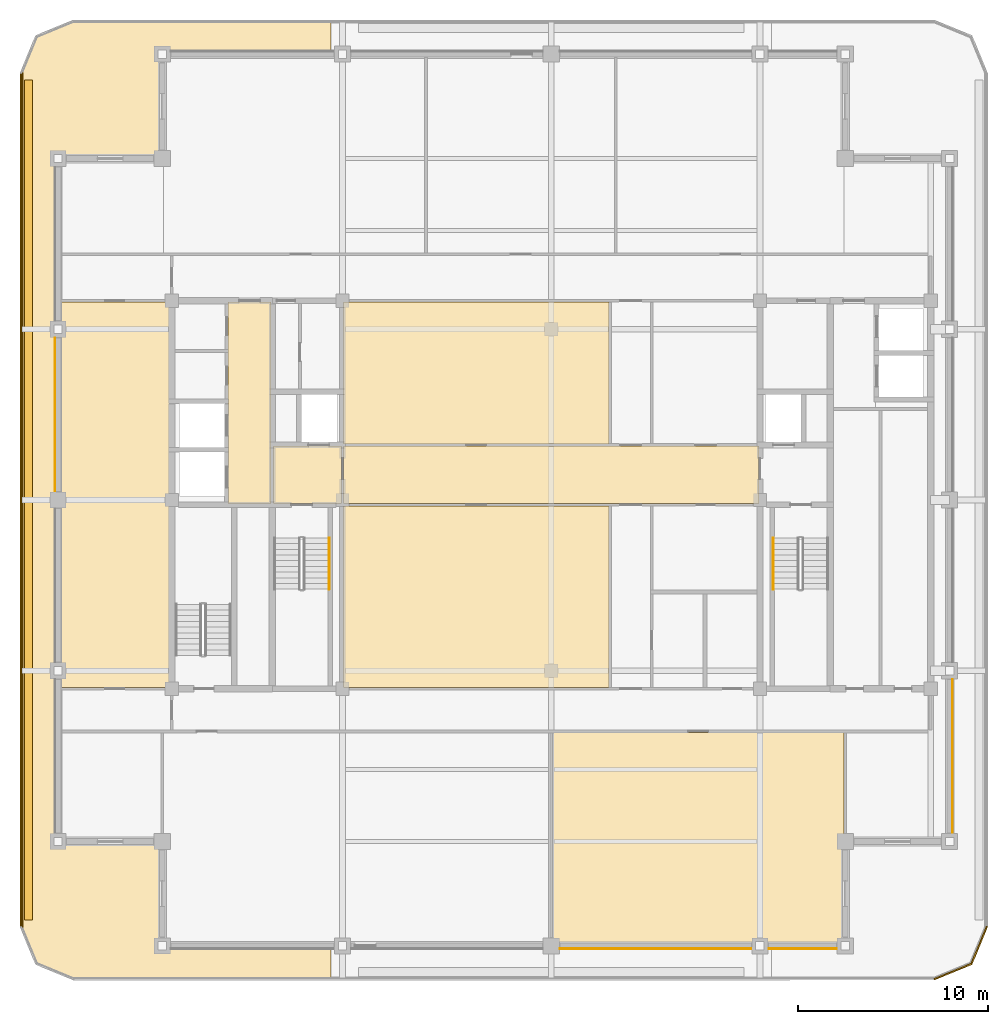
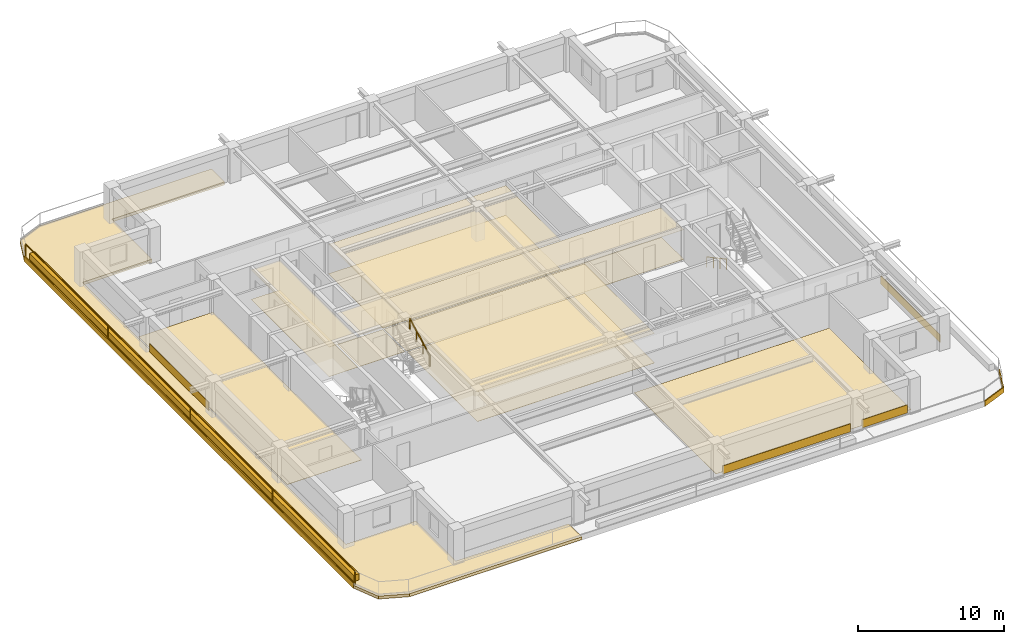
# One storey, part 8 of 10: 21 coverings, 3 railings.
"""IFC4 building model written with IfcOpenShell, lengths in metres."""

import ifcopenshell
import ifcopenshell.guid

model = None  # the IFC model being written
_history = None  # IfcOwnerHistory: only IFC2X3 demands one
_inside = {}  # id of a spatial element -> (the spatial element, [elements in it])
_under = {}  # id of a project, library or spatial element -> (it, [spatial elements below it])
_declared = {}  # id of a project -> (the project, [libraries it declares])
_typed = {}  # id of a type object -> (the type object, [elements of that type])
_made_of = {}  # id of a material, layer set ... -> (it, [elements and type objects made of it])


def new_model(schema):
    """Start an empty IFC model of exactly this schema.

    Asked for "IFC4X3", IfcOpenShell would pick the latest addendum, in which some entities
    have other attributes; the version numbers below select the first issue.
    IFC2X3 requires an IfcOwnerHistory on every rooted entity: one is made here for all.
    """
    global model, _history
    if schema == "IFC4X3":
        model = ifcopenshell.file(schema_version=(4, 3, 0, 0))
    else:
        model = ifcopenshell.file(schema=schema)
    _inside.clear()
    _under.clear()
    _declared.clear()
    _typed.clear()
    _made_of.clear()
    _history = None
    if model.schema == "IFC2X3":
        org = make("IfcOrganization", Name="unknown")
        user = make(
            "IfcPersonAndOrganization",
            ThePerson=make("IfcPerson", FamilyName="unknown"),
            TheOrganization=org,
        )
        app = make(
            "IfcApplication",
            ApplicationDeveloper=org,
            Version="unknown",
            ApplicationFullName="unknown",
            ApplicationIdentifier="unknown",
        )
        _history = make(
            "IfcOwnerHistory",
            OwningUser=user,
            OwningApplication=app,
            ChangeAction="ADDED",
            CreationDate=0,
        )
    return model


def make(cls, **values):
    """One entity of the class cls with the attributes given. An attribute that is None is left unset."""
    return model.create_entity(
        cls, **{name: value for name, value in values.items() if value is not None}
    )


def rooted(cls, **values):
    """An entity with a GlobalId (a new one), such as an element, a storey or a relation."""
    return make(cls, GlobalId=ifcopenshell.guid.new(), OwnerHistory=_history, **values)


def si_unit(unit_type, name, prefix=None):
    """IfcSIUnit, for example si_unit("LENGTHUNIT", "METRE", prefix="MILLI")."""
    return make("IfcSIUnit", UnitType=unit_type, Prefix=prefix, Name=name)


def assignment(units):
    """IfcUnitAssignment: the units of a project."""
    return None if units is None else make("IfcUnitAssignment", Units=units)


def point(xyz):
    """IfcCartesianPoint."""
    return None if xyz is None else make("IfcCartesianPoint", Coordinates=xyz)


def direction(xyz):
    """IfcDirection."""
    return None if xyz is None else make("IfcDirection", DirectionRatios=xyz)


def frame(location, z_axis=None, x_axis=None):
    """IfcAxis2Placement3D, a coordinate frame: its origin and axes. An axis left out is left unset."""
    return make(
        "IfcAxis2Placement3D",
        Location=point(location),
        Axis=direction(z_axis),
        RefDirection=direction(x_axis),
    )


def frame_2d(location, x_axis=None):
    """IfcAxis2Placement2D, a coordinate frame in the plane: its origin and x axis."""
    return make(
        "IfcAxis2Placement2D", Location=point(location), RefDirection=direction(x_axis)
    )


def origin():
    """The frame at (0, 0, 0) with its axes left unset."""
    return frame((0.0, 0.0, 0.0))


def origin_2d():
    """The frame at (0, 0) in the plane with its x axis left unset."""
    return frame_2d((0.0, 0.0))


def place(relative_to, where):
    """IfcLocalPlacement: puts the frame where relative to a parent placement (None: the world)."""
    return make(
        "IfcLocalPlacement", PlacementRelTo=relative_to, RelativePlacement=where
    )


def context(
    kind, dimensions, precision=None, world=None, true_north=None, identifier=None
):
    """IfcGeometricRepresentationContext, for example the 3D "Model" context."""
    return make(
        "IfcGeometricRepresentationContext",
        ContextIdentifier=identifier,
        ContextType=kind,
        CoordinateSpaceDimension=dimensions,
        Precision=precision,
        WorldCoordinateSystem=world,
        TrueNorth=true_north,
    )


def subcontext(parent, identifier, kind, view, scale=None):
    """IfcGeometricRepresentationSubContext, for example "Body" below "Model"."""
    return make(
        "IfcGeometricRepresentationSubContext",
        ContextIdentifier=identifier,
        ContextType=kind,
        ParentContext=parent,
        TargetScale=scale,
        TargetView=view,
    )


def project(units=None, contexts=None):
    """IfcProject with its units and contexts."""
    return rooted(
        "IfcProject",
        Name="project",
        RepresentationContexts=contexts,
        UnitsInContext=assignment(units),
    )


def spatial(cls, under=None, at=None, **own):
    """A site, building, storey or space (cls), placed at a placement, below another one or the project."""
    s = rooted(cls, ObjectPlacement=at, **own)
    if under is not None:
        _under.setdefault(under.id(), (under, []))[1].append(s)
    return s


def polyline(points):
    """IfcPolyline through the points."""
    return make("IfcPolyline", Points=[point(p) for p in points])


def profile(cls, at=None, kind="AREA", **sizes):
    """A parametric profile (cls). Its sizes go by their IFC names, for example OverallWidth=200.0."""
    return make(cls, ProfileType=kind, Position=at, **sizes)


def rectangle(**sizes):
    """IfcRectangleProfileDef."""
    return profile("IfcRectangleProfileDef", **sizes)


def outline(outer, holes=None, kind="AREA"):
    """IfcArbitraryClosedProfileDef: a profile drawn as a closed curve; with holes, ...WithVoids."""
    if holes is None:
        return make("IfcArbitraryClosedProfileDef", ProfileType=kind, OuterCurve=outer)
    return make(
        "IfcArbitraryProfileDefWithVoids",
        ProfileType=kind,
        OuterCurve=outer,
        InnerCurves=holes,
    )


def extrude(swept, where, along, depth):
    """IfcExtrudedAreaSolid: the profile swept, set in the frame where, extruded along a direction by depth."""
    return make(
        "IfcExtrudedAreaSolid",
        SweptArea=swept,
        Position=where,
        ExtrudedDirection=direction(along),
        Depth=depth,
    )


def shape(context_of_items, identifier, shape_type, items):
    """IfcShapeRepresentation: the items that make up one representation, for example the "Body"."""
    return make(
        "IfcShapeRepresentation",
        ContextOfItems=context_of_items,
        RepresentationIdentifier=identifier,
        RepresentationType=shape_type,
        Items=items,
    )


def material(Name=None, Category=None):
    """IfcMaterial."""
    return make("IfcMaterial", Name=Name, Category=Category)


def layer(
    of_material, thickness, ventilated=None, Name=None, Category=None, Priority=None
):
    """IfcMaterialLayer: one layer of a wall or slab, of a material (None: an air gap)."""
    return make(
        "IfcMaterialLayer",
        Material=of_material,
        LayerThickness=thickness,
        IsVentilated=ventilated,
        Name=Name,
        Category=Category,
        Priority=Priority,
    )


def layer_set(layers, Name=None):
    """IfcMaterialLayerSet."""
    return make("IfcMaterialLayerSet", MaterialLayers=layers, LayerSetName=Name)


def made_of(thing, what):
    """Note that an element or type object is made of a material, layer set ...; save() writes the relation."""
    if what is not None:
        _made_of.setdefault(what.id(), (what, []))[1].append(thing)
    return thing


def type_object(cls, material=None, **own):
    """A type object (cls), such as IfcWallType, which elements share."""
    return made_of(rooted(cls, **own), material)


def element(
    cls,
    number,
    at=None,
    inside=None,
    cuts=None,
    type_object=None,
    material=None,
    context=None,
    identifier="Body",
    shape_type=None,
    held_by="IfcProductDefinitionShape",
    body=None,
    shapes=None,
    **own,
):
    """One element of the class cls, such as IfcWall. Its Tag is "e" and its number.

    at: its placement. inside: the storey or other place that contains it. cuts: it is an
    opening in that element (IfcRelVoidsElement). A single representation is given by context,
    identifier, shape_type and body (its items); several are given by shapes. held_by: the class
    of the entity that holds the representations. save() writes the other relations.
    """
    e = rooted(cls, Tag="e%d" % number, ObjectPlacement=at, **own)
    if body is not None:
        shapes = [shape(context, identifier, shape_type, body)]
    if shapes is not None:
        e.Representation = make(held_by, Representations=shapes)
    if inside is not None:
        _inside.setdefault(inside.id(), (inside, []))[1].append(e)
    if cuts is not None:
        rooted(
            "IfcRelVoidsElement", RelatingBuildingElement=cuts, RelatedOpeningElement=e
        )
    if type_object is not None:
        _typed.setdefault(type_object.id(), (type_object, []))[1].append(e)
    return made_of(e, material)


def aggregate(whole, parts):
    """IfcRelAggregates: a whole, such as a stair, and the parts it consists of."""
    return rooted("IfcRelAggregates", RelatingObject=whole, RelatedObjects=parts)


def save(model, path):
    """Write the relations noted so far, then the file.

    IfcRelAggregates (storeys below a building ...), IfcRelContainedInSpatialStructure (elements
    in a storey), IfcRelDefinesByType, IfcRelAssociatesMaterial and IfcRelDeclares: one each for
    every whole, place, type object, material and project.
    """
    for whole, parts in _under.values():
        aggregate(whole, parts)
    for where, things in _inside.values():
        rooted(
            "IfcRelContainedInSpatialStructure",
            RelatedElements=things,
            RelatingStructure=where,
        )
    for kind, things in _typed.values():
        rooted("IfcRelDefinesByType", RelatedObjects=things, RelatingType=kind)
    for what, things in _made_of.values():
        rooted("IfcRelAssociatesMaterial", RelatedObjects=things, RelatingMaterial=what)
    for by, libraries in _declared.values():
        rooted("IfcRelDeclares", RelatingContext=by, RelatedDefinitions=libraries)
    model.write(path)


model = new_model("IFC4")

# Units and contexts
model_context = context("Model", 3, precision=1e-05, world=origin(), true_north=direction((0.0, 1.0)))
body_context = subcontext(model_context, "Body", "Model", "MODEL_VIEW")
ifc_project = project(units=[si_unit("LENGTHUNIT", "METRE"), si_unit("AREAUNIT", "SQUARE_METRE"), si_unit("VOLUMEUNIT", "CUBIC_METRE"), si_unit("PLANEANGLEUNIT", "RADIAN"), si_unit("MASSUNIT", "GRAM", prefix="KILO")], contexts=[model_context])

# Site, building, storey
site_placement = place(None, origin())
site = spatial("IfcSite", under=ifc_project, at=site_placement, CompositionType="ELEMENT")
building_placement = place(site_placement, origin())
building = spatial("IfcBuilding", under=site, at=building_placement, Name="Zulmaris Gate Convention Tower", CompositionType="ELEMENT")
storey_placement = place(building_placement, frame((0.0, 0.0, 267.35009765625)))
storey = spatial("IfcBuildingStorey", under=building, at=storey_placement, Name="L71", CompositionType="ELEMENT", Elevation=267.35009765625)

# Coverings
ifc_material_1 = material(Name="Precast concrete C40/50", Category="concrete")
ifc_layer_1 = layer(ifc_material_1, 0.0400390625, Name="Precast concrete C40/50")
ifc_layer_set_1 = layer_set([ifc_layer_1], Name="Precast concrete C40/50")
covering_type_1 = type_object("IfcCoveringType", Name="CLAD-SPANDREL-PRECAST", PredefinedType="CLADDING", material=ifc_layer_set_1)
covering_1_placement = place(storey_placement, frame((0.455078125, -23.64990234375, 0.0), z_axis=(0.0, 0.0, 1.0), x_axis=(1.0, 0.0, 0.0)))
element("IfcCovering", 1, at=covering_1_placement, inside=storey, type_object=covering_type_1, Name="CLD-L71-S-2_0", PredefinedType="CLADDING", context=body_context, shape_type="SweptSolid", body=[
    extrude(rectangle(XDim=10.08984375, YDim=0.0400390625, at=frame_2d((5.044921875, 0.0))), origin(), (0.0, 0.0, 1.0), 0.679931640625),
])
covering_2_placement = place(storey_placement, frame((11.455078125, -23.64990234375, 0.0), z_axis=(0.0, 0.0, 1.0), x_axis=(1.0, 0.0, 0.0)))
element("IfcCovering", 2, at=covering_2_placement, inside=storey, type_object=covering_type_1, Name="CLD-L71-S-3_0", PredefinedType="CLADDING", context=body_context, shape_type="SweptSolid", body=[
    extrude(rectangle(XDim=3.58984375, YDim=0.0400390625, at=frame_2d((1.794921875, 0.0))), origin(), (0.0, 0.0, 1.0), 0.679931640625),
])
for number, where, z_axis, x_axis, name in (
    (3, (21.14990234375, -17.544921875, 0.0), (0.0, 0.0, 1.0), (0.0, 1.0, 0.0), "CLD-L71-E-0_0"),
    (4, (-26.14990234375, 8.544921875, 0.0), (0.0, 0.0, 1.0), (0.0, -1.0, 0.0), "CLD-L71-W-2_0"),
):
    element("IfcCovering", number, at=place(storey_placement, frame(where, z_axis=z_axis, x_axis=x_axis)), inside=storey, type_object=covering_type_1, Name=name, PredefinedType="CLADDING", context=body_context, shape_type="SweptSolid", body=[
        extrude(rectangle(XDim=8.08984375, YDim=0.0400390625, at=frame_2d((4.044921875, 0.0))), origin(), (0.0, 0.0, 1.0), 0.679931640625),
    ])
ifc_material_2 = material(Name="White Glazed Architectural Precast Concrete C40/50", Category="concrete")
ifc_layer_2 = layer(ifc_material_2, 0.239990234375, Name="White Glazed Architectural Precast Concrete C40/50")
ifc_layer_set_2 = layer_set([ifc_layer_2], Name="White Glazed Architectural Precast Concrete C40/50")
covering_type_2 = type_object("IfcCoveringType", Name="CLAD-TRAY-DECK", PredefinedType="CLADDING", material=ifc_layer_set_2)
covering_3_placement = place(storey_placement, frame((0.0, 0.0, -0.25)))
element("IfcCovering", 5, at=covering_3_placement, inside=storey, type_object=covering_type_2, Name="L71 West Rounded-Fascia Planter Tray Deck", PredefinedType="CLADDING", context=body_context, shape_type="SweptSolid", body=[
    extrude(outline(polyline([(-28.0, 22.5), (-27.179931640625, 24.47998046875), (-25.199951171875, 25.300048828125), (-11.60205078125, 25.300048828125), (-11.60205078125, 23.5), (-20.5, 23.5), (-20.5, 18.0), (-26.0, 18.0), (-26.0, -18.0), (-20.5, -18.0), (-20.5, -23.5), (-11.60205078125, -23.5), (-11.60205078125, -25.300048828125), (-25.199951171875, -25.300048828125), (-27.179931640625, -24.47998046875), (-28.0, -22.5), (-28.0, 22.5)])), origin(), (0.0, 0.0, 1.0), 0.239990234375),
])
ifc_layer_3 = layer(ifc_material_2, 0.080078125, Name="White Glazed Architectural Precast Concrete C40/50")
ifc_layer_set_3 = layer_set([ifc_layer_3], Name="White Glazed Architectural Precast Concrete C40/50")
covering_type_3 = type_object("IfcCoveringType", Name="CLAD-TRAY-FASCIA", PredefinedType="CLADDING", material=ifc_layer_set_3)
covering_4_placement = place(storey_placement, frame((20.184814453125, -25.262939453125, -0.2900390625), z_axis=(0.0, 0.0, 1.0), x_axis=(0.923873803533, 0.382697263049, 0.0)))
element("IfcCovering", 6, at=covering_4_placement, inside=storey, type_object=covering_type_3, Name="FSC-L71-TR-03", PredefinedType="CLADDING", context=body_context, shape_type="SweptSolid", body=[
    extrude(rectangle(XDim=2.142822265625, YDim=0.080078125, at=frame_2d((1.0712890625, 0.0))), origin(), (0.0, 0.0, 1.0), 0.43994140625),
])
covering_5_placement = place(storey_placement, frame((22.142822265625, -24.464599609375, -0.2900390625), z_axis=(0.0, 0.0, 1.0), x_axis=(0.382656984709, 0.923890487046, 0.0)))
element("IfcCovering", 7, at=covering_5_placement, inside=storey, type_object=covering_type_3, Name="FSC-L71-TR-04", PredefinedType="CLADDING", context=body_context, shape_type="SweptSolid", body=[
    extrude(rectangle(XDim=2.14306640625, YDim=0.080078125, at=frame_2d((1.071533203125, 0.0))), origin(), (0.0, 0.0, 1.0), 0.43994140625),
])
covering_6_placement = place(storey_placement, frame((-27.9599609375, 22.5, -0.2900390625), z_axis=(0.0, 0.0, 1.0), x_axis=(0.0, -1.0, 0.0)))
element("IfcCovering", 8, at=covering_6_placement, inside=storey, type_object=covering_type_3, Name="FSC-L71-TR-11", PredefinedType="CLADDING", context=body_context, shape_type="SweptSolid", body=[
    extrude(rectangle(XDim=45.0, YDim=0.080078125, at=frame_2d((22.5, 0.0))), origin(), (0.0, 0.0, 1.0), 0.43994140625),
])
ifc_material_3 = material(Name="Mineral Fibre Acoustic Ceiling Tile")
ifc_layer_4 = layer(ifc_material_3, 0.02001953125, Name="Mineral Fibre Acoustic Ceiling Tile")
ifc_layer_set_4 = layer_set([ifc_layer_4], Name="Mineral Fibre Acoustic Ceiling Tile")
covering_type_4 = type_object("IfcCoveringType", Name="CLG-ACOUSTIC-600", PredefinedType="CEILING", material=ifc_layer_set_4)
covering_7_placement = place(storey_placement, frame((0.0, 0.0, 2.625)))
element("IfcCovering", 9, at=covering_7_placement, inside=storey, type_object=covering_type_4, Name="CLG-L71-R03", PredefinedType="CEILING", context=body_context, shape_type="SweptSolid", body=[
    extrude(outline(polyline([(-14.639892578125, -0.18994140625), (-11.06005859375, -0.18994140625), (-11.06005859375, 2.840087890625), (-14.639892578125, 2.840087890625), (-14.639892578125, -0.18994140625)])), origin(), (0.0, 0.0, 1.0), 0.02001953125),
])
covering_8_placement = place(storey_placement, frame((0.0, 0.0, 2.462890625)))
element("IfcCovering", 10, at=covering_8_placement, inside=storey, type_object=covering_type_4, Name="CLG-L71-R18", PredefinedType="CEILING", context=body_context, shape_type="SweptSolid", body=[
    extrude(outline(polyline([(-17.0400390625, -0.18994140625), (-14.760009765625, -0.18994140625), (-14.760009765625, 10.43994140625), (-17.0400390625, 10.43994140625), (-17.0400390625, -0.18994140625)])), origin(), (0.0, 0.0, 1.0), 0.02001953125),
])
covering_9_placement = place(storey_placement, frame((0.0, 0.0, 2.462890625)))
element("IfcCovering", 11, at=covering_9_placement, inside=storey, type_object=covering_type_4, Name="CLG-L71-R30", PredefinedType="CEILING", context=body_context, shape_type="SweptSolid", body=[
    extrude(outline(polyline([(-10.93994140625, -0.18994140625), (10.93994140625, -0.18994140625), (10.93994140625, 2.840087890625), (-10.93994140625, 2.840087890625), (-10.93994140625, -0.18994140625)])), origin(), (0.0, 0.0, 1.0), 0.02001953125),
])
covering_10_placement = place(storey_placement, frame((0.0, 0.0, 2.462890625)))
element("IfcCovering", 12, at=covering_10_placement, inside=storey, type_object=covering_type_4, Name="CLG-L71-R38", PredefinedType="CEILING", context=body_context, shape_type="SweptSolid", body=[
    extrude(outline(polyline([(-10.93994140625, 2.9599609375), (3.0400390625, 2.9599609375), (3.0400390625, 10.43994140625), (-10.93994140625, 10.43994140625), (-10.93994140625, 2.9599609375)])), origin(), (0.0, 0.0, 1.0), 0.02001953125),
])
covering_11_placement = place(storey_placement, frame((0.0, 0.0, 2.462890625)))
element("IfcCovering", 13, at=covering_11_placement, inside=storey, type_object=covering_type_4, Name="CLG-L71-R40", PredefinedType="CEILING", context=body_context, shape_type="SweptSolid", body=[
    extrude(outline(polyline([(-10.93994140625, -9.889892578125), (3.0400390625, -9.889892578125), (3.0400390625, -0.31005859375), (-10.93994140625, -0.31005859375), (-10.93994140625, -9.889892578125)])), origin(), (0.0, 0.0, 1.0), 0.02001953125),
])
ifc_material_4 = material(Name="Woven Acoustic Wool Carpet Tile")
ifc_layer_5 = layer(ifc_material_4, 0.02001953125, Name="Woven Acoustic Wool Carpet Tile")
ifc_layer_set_5 = layer_set([ifc_layer_5], Name="Woven Acoustic Wool Carpet Tile")
covering_type_5 = type_object("IfcCoveringType", Name="FLR-CARPET-12", PredefinedType="FLOORING", material=ifc_layer_set_5)
covering_12_placement = place(storey_placement, origin())
element("IfcCovering", 14, at=covering_12_placement, inside=storey, type_object=covering_type_5, Name="FLR-L71-R03", PredefinedType="FLOORING", context=body_context, shape_type="SweptSolid", body=[
    extrude(outline(polyline([(-14.639892578125, -0.18994140625), (-11.06005859375, -0.18994140625), (-11.06005859375, 2.840087890625), (-14.639892578125, 2.840087890625), (-14.639892578125, -0.18994140625)])), origin(), (0.0, 0.0, 1.0), 0.02001953125),
])
covering_13_placement = place(storey_placement, origin())
element("IfcCovering", 15, at=covering_13_placement, inside=storey, type_object=covering_type_5, Name="FLR-L71-R18", PredefinedType="FLOORING", context=body_context, shape_type="SweptSolid", body=[
    extrude(outline(polyline([(-17.0400390625, -0.18994140625), (-14.760009765625, -0.18994140625), (-14.760009765625, 10.43994140625), (-17.0400390625, 10.43994140625), (-17.0400390625, -0.18994140625)])), origin(), (0.0, 0.0, 1.0), 0.02001953125),
])
covering_14_placement = place(storey_placement, origin())
element("IfcCovering", 16, at=covering_14_placement, inside=storey, type_object=covering_type_5, Name="FLR-L71-R30", PredefinedType="FLOORING", context=body_context, shape_type="SweptSolid", body=[
    extrude(outline(polyline([(-10.93994140625, -0.18994140625), (10.93994140625, -0.18994140625), (10.93994140625, 2.840087890625), (-10.93994140625, 2.840087890625), (-10.93994140625, -0.18994140625)])), origin(), (0.0, 0.0, 1.0), 0.02001953125),
])
covering_15_placement = place(storey_placement, origin())
element("IfcCovering", 17, at=covering_15_placement, inside=storey, type_object=covering_type_5, Name="FLR-L71-R37", PredefinedType="FLOORING", context=body_context, shape_type="SweptSolid", body=[
    extrude(outline(polyline([(0.06005859375, -23.43994140625), (15.43994140625, -23.43994140625), (15.43994140625, -12.260009765625), (0.06005859375, -12.260009765625), (0.06005859375, -23.43994140625)])), origin(), (0.0, 0.0, 1.0), 0.02001953125),
])
covering_16_placement = place(storey_placement, origin())
element("IfcCovering", 18, at=covering_16_placement, inside=storey, type_object=covering_type_5, Name="FLR-L71-R40", PredefinedType="FLOORING", context=body_context, shape_type="SweptSolid", body=[
    extrude(outline(polyline([(-10.93994140625, -9.889892578125), (3.0400390625, -9.889892578125), (3.0400390625, -0.31005859375), (-10.93994140625, -0.31005859375), (-10.93994140625, -9.889892578125)])), origin(), (0.0, 0.0, 1.0), 0.02001953125),
])
covering_17_placement = place(storey_placement, origin())
element("IfcCovering", 19, at=covering_17_placement, inside=storey, type_object=covering_type_5, Name="FLR-L71-R46", PredefinedType="FLOORING", context=body_context, shape_type="SweptSolid", body=[
    extrude(outline(polyline([(-25.93994140625, -9.889892578125), (-20.06005859375, -9.889892578125), (-20.06005859375, 10.43994140625), (-25.93994140625, 10.43994140625), (-25.93994140625, -9.889892578125)])), origin(), (0.0, 0.0, 1.0), 0.02001953125),
])
ifc_material_5 = material(Name="Polished Granite Terrazzo Tile", Category="masonry")
ifc_layer_6 = layer(ifc_material_5, 0.02001953125, Name="Polished Granite Terrazzo Tile")
ifc_layer_set_6 = layer_set([ifc_layer_6], Name="Polished Granite Terrazzo Tile")
covering_type_6 = type_object("IfcCoveringType", Name="FLR-TERRAZZO-30", PredefinedType="FLOORING", material=ifc_layer_set_6)
covering_18_placement = place(storey_placement, origin())
element("IfcCovering", 20, at=covering_18_placement, inside=storey, type_object=covering_type_6, Name="FLR-L71-R38", PredefinedType="FLOORING", context=body_context, shape_type="SweptSolid", body=[
    extrude(outline(polyline([(-10.93994140625, 2.9599609375), (3.0400390625, 2.9599609375), (3.0400390625, 10.43994140625), (-10.93994140625, 10.43994140625), (-10.93994140625, 2.9599609375)])), origin(), (0.0, 0.0, 1.0), 0.02001953125),
])
ifc_material_6 = material(Name="Botanical Green Glazed Precast Concrete C40/50", Category="concrete")
ifc_layer_7 = layer(ifc_material_6, 0.419921875, Name="Botanical Green Glazed Precast Concrete C40/50")
ifc_layer_set_7 = layer_set([ifc_layer_7], Name="Botanical Green Glazed Precast Concrete C40/50")
covering_type_7 = type_object("IfcCoveringType", Name="PLANTER-BOX-200", PredefinedType="CLADDING", material=ifc_layer_set_7)
covering_19_placement = place(storey_placement, frame((0.0, 0.0, -0.010009765625)))
element("IfcCovering", 21, at=covering_19_placement, inside=storey, type_object=covering_type_7, Name="L71 W Full-Length Balcony Tree Planter Trough", PredefinedType="CLADDING", context=body_context, shape_type="SweptSolid", body=[
    extrude(outline(polyline([(-27.760009765625, -22.14990234375), (-27.340087890625, -22.14990234375), (-27.340087890625, 22.14990234375), (-27.760009765625, 22.14990234375), (-27.760009765625, -22.14990234375)])), origin(), (0.0, 0.0, 1.0), 0.52001953125),
])

# Railings
ifc_material_7 = material(Name="Laminated Glass and Stainless Steel", Category="steel")
railing_type_1 = type_object("IfcRailingType", Name="RL-BALC-1150", PredefinedType="BALUSTRADE", material=ifc_material_7)
railing_1_placement = place(storey_placement, frame((-27.8798828125, 22.5, -0.010009765625)))
element("IfcRailing", 22, at=railing_1_placement, inside=storey, type_object=railing_type_1, Name="RL-L71-BALC-W", PredefinedType="BALUSTRADE", context=body_context, shape_type="SweptSolid", body=[
    extrude(rectangle(XDim=0.048095703125, YDim=0.048095703125, at=origin_2d()), frame((0.0, 0.0, 1.1259765625), z_axis=(0.0, -1.0, 0.0), x_axis=(1.0, 0.0, 0.0)), (0.0, 0.0, 1.0), 45.0),
    extrude(rectangle(XDim=0.048095703125, YDim=0.048095703125, at=origin_2d()), frame((0.0, 0.0, 0.02392578125), z_axis=(0.0, -1.0, 0.0), x_axis=(1.0, 0.0, 0.0)), (0.0, 0.0, 1.0), 45.0),
    extrude(rectangle(XDim=0.0419921875, YDim=0.0419921875, at=origin_2d()), origin(), (0.0, 0.0, 1.0), 1.101806640625),
    extrude(rectangle(XDim=0.0419921875, YDim=0.0419921875, at=origin_2d()), frame((0.0, -11.25, 0.0)), (0.0, 0.0, 1.0), 1.101806640625),
    extrude(rectangle(XDim=0.0419921875, YDim=0.0419921875, at=origin_2d()), frame((0.0, -22.5, 0.0)), (0.0, 0.0, 1.0), 1.101806640625),
    extrude(rectangle(XDim=0.0419921875, YDim=0.0419921875, at=origin_2d()), frame((0.0, -33.75, 0.0)), (0.0, 0.0, 1.0), 1.101806640625),
    extrude(rectangle(XDim=0.0419921875, YDim=0.0419921875, at=origin_2d()), frame((0.0, -45.0, 0.0)), (0.0, 0.0, 1.0), 1.101806640625),
])
ifc_material_8 = material(Name="Brushed Stainless Steel", Category="steel")
railing_type_2 = type_object("IfcRailingType", Name="RL-STH-900", PredefinedType="HANDRAIL", material=ifc_material_8)
railing_2_placement = place(storey_placement, frame((-11.7099609375, -4.699951171875, 1.776611328125)))
element("IfcRailing", 23, at=railing_2_placement, inside=storey, type_object=railing_type_2, Name="L71 ST-1 stair handrail 2", PredefinedType="HANDRAIL", context=body_context, shape_type="SweptSolid", body=[
    extrude(rectangle(XDim=0.048095703125, YDim=0.048095703125, at=origin_2d()), frame((0.0, 0.0, 0.8759765625), z_axis=(0.0, 0.880532452117, 0.47398586558), x_axis=(-1.0, 0.0, 0.0)), (0.0, 0.0, 1.0), 3.066162109375),
    extrude(rectangle(XDim=0.0419921875, YDim=0.0419921875, at=origin_2d()), origin(), (0.0, 0.0, 1.0), 0.851806640625),
    extrude(rectangle(XDim=0.0419921875, YDim=0.0419921875, at=origin_2d()), frame((0.0, 0.89990234375, 0.484375)), (0.0, 0.0, 1.0), 0.851806640625),
    extrude(rectangle(XDim=0.0419921875, YDim=0.0419921875, at=origin_2d()), frame((0.0, 1.800048828125, 0.968994140625)), (0.0, 0.0, 1.0), 0.851806640625),
    extrude(rectangle(XDim=0.0419921875, YDim=0.0419921875, at=origin_2d()), frame((0.0, 2.699951171875, 1.453369140625)), (0.0, 0.0, 1.0), 0.851806640625),
])
railing_3_placement = place(storey_placement, frame((11.7099609375, -2.0, 0.16162109375)))
element("IfcRailing", 24, at=railing_3_placement, inside=storey, type_object=railing_type_2, Name="L71 ST-2 stair handrail 1", PredefinedType="HANDRAIL", context=body_context, shape_type="SweptSolid", body=[
    extrude(rectangle(XDim=0.048095703125, YDim=0.048095703125, at=origin_2d()), frame((0.0, 0.0, 0.8759765625), z_axis=(0.0, -0.880532452117, 0.47398586558), x_axis=(1.0, 0.0, 0.0)), (0.0, 0.0, 1.0), 3.066162109375),
    extrude(rectangle(XDim=0.0419921875, YDim=0.0419921875, at=origin_2d()), origin(), (0.0, 0.0, 1.0), 0.851806640625),
    extrude(rectangle(XDim=0.0419921875, YDim=0.0419921875, at=origin_2d()), frame((0.0, -0.89990234375, 0.484375)), (0.0, 0.0, 1.0), 0.851806640625),
    extrude(rectangle(XDim=0.0419921875, YDim=0.0419921875, at=origin_2d()), frame((0.0, -1.800048828125, 0.968994140625)), (0.0, 0.0, 1.0), 0.851806640625),
    extrude(rectangle(XDim=0.0419921875, YDim=0.0419921875, at=origin_2d()), frame((0.0, -2.699951171875, 1.453369140625)), (0.0, 0.0, 1.0), 0.851806640625),
])

save(model, "model.ifc")
